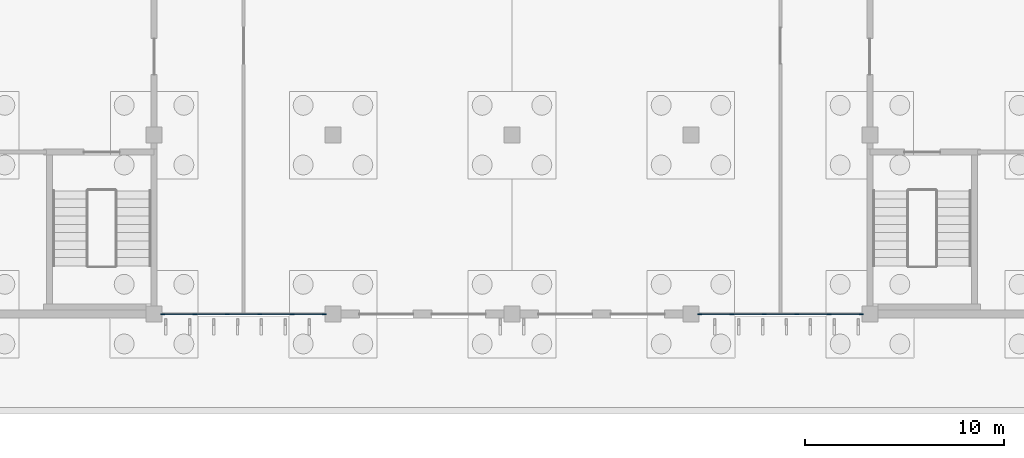
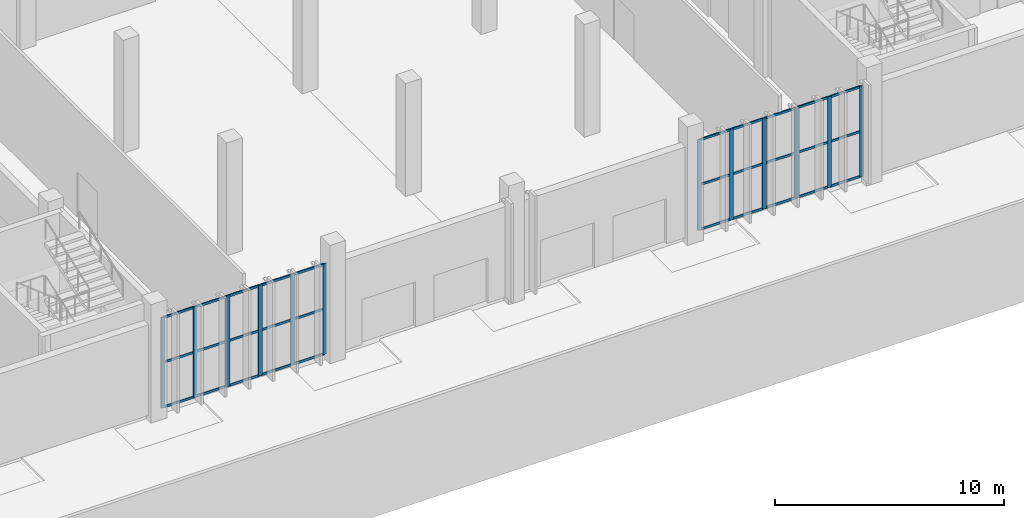
# One storey, part 35 of 198: 42 members, 2 elements without a shape of their own.
"""IFC4 building model written with IfcOpenShell, lengths in metres."""

from ifc_helpers import new_model, si_unit, direction, frame, origin, origin_2d, place, context, subcontext, project, spatial, rectangle, extrude, material, layer, layer_set, material_profile, profile_set, type_object, element, aggregate, save


model = new_model("IFC4")

# Units and contexts
model_context = context("Model", 3, precision=1e-05, world=origin(), true_north=direction((0.0, 1.0)))
body_context = subcontext(model_context, "Body", "Model", "MODEL_VIEW")
ifc_project = project(units=[si_unit("LENGTHUNIT", "METRE"), si_unit("AREAUNIT", "SQUARE_METRE"), si_unit("VOLUMEUNIT", "CUBIC_METRE"), si_unit("PLANEANGLEUNIT", "RADIAN"), si_unit("MASSUNIT", "GRAM", prefix="KILO")], contexts=[model_context])

# Site, building, storey
site_placement = place(None, origin())
site = spatial("IfcSite", under=ifc_project, at=site_placement, CompositionType="ELEMENT")
building_placement = place(site_placement, origin())
building = spatial("IfcBuilding", under=site, at=building_placement, Name="Opaline Strait Convention Centre", CompositionType="ELEMENT")
storey_placement = place(building_placement, origin())
storey = spatial("IfcBuildingStorey", under=building, at=storey_placement, Name="L00", CompositionType="ELEMENT", Elevation=0.0)

# Curtain wall, members
ifc_material_1 = material(Name="Aluminium framed double glazing", Category="aluminium")
ifc_layer = layer(ifc_material_1, 0.199951171875)
ifc_layer_set = layer_set([ifc_layer], Name="Aluminium framed double glazing")
curtain_wall_type = type_object("IfcCurtainWallType", Name="Curtain wall 1500 module", PredefinedType="NOTDEFINED", material=ifc_layer_set)
curtain_wall_1_placement = place(storey_placement, origin())
curtain_wall_1 = element("IfcCurtainWall", 1, at=curtain_wall_1_placement, inside=storey, type_object=curtain_wall_type, Name="L00 S facade glazing bay 3", PredefinedType="NOTDEFINED")
ifc_material_2 = material(Name="Aluminium alloy 6063", Category="aluminium")
ifc_material_profile_1 = material_profile(ifc_material_2, rectangle(XDim=0.06005859375, YDim=0.199951171875, at=origin_2d()), Name="Curtain wall mullion 60x200")
ifc_profile_set_1 = profile_set([ifc_material_profile_1], Name="Aluminium alloy 6063")
member_type_1 = type_object("IfcMemberType", Name="Curtain wall mullion 60x200", PredefinedType="MULLION", material=ifc_profile_set_1)
member_1_placement = place(storey_placement, frame((27.429931640625, 9.0, 0.0), z_axis=(0.0, 0.0, 1.0), x_axis=(0.0, 1.0, 0.0)))
member_1 = element("IfcMember", 2, at=member_1_placement, type_object=member_type_1, Name="RCW1 mullion 1", PredefinedType="MULLION", context=body_context, shape_type="SweptSolid", body=[
    extrude(rectangle(XDim=0.06005859375, YDim=0.199951171875, at=origin_2d()), origin(), (0.0, 0.0, 1.0), 4.820068359375),
])
member_2_placement = place(storey_placement, frame((29.0400390625, 9.0, 0.0), z_axis=(0.0, 0.0, 1.0), x_axis=(0.0, 1.0, 0.0)))
member_2 = element("IfcMember", 3, at=member_2_placement, type_object=member_type_1, Name="RCW1 mullion 2", PredefinedType="MULLION", context=body_context, shape_type="SweptSolid", body=[
    extrude(rectangle(XDim=0.06005859375, YDim=0.199951171875, at=origin_2d()), origin(), (0.0, 0.0, 1.0), 4.820068359375),
])
member_3_placement = place(storey_placement, frame((30.679931640625, 9.0, 0.0), z_axis=(0.0, 0.0, 1.0), x_axis=(0.0, 1.0, 0.0)))
member_3 = element("IfcMember", 4, at=member_3_placement, type_object=member_type_1, Name="RCW1 mullion 3", PredefinedType="MULLION", context=body_context, shape_type="SweptSolid", body=[
    extrude(rectangle(XDim=0.06005859375, YDim=0.199951171875, at=origin_2d()), origin(), (0.0, 0.0, 1.0), 4.820068359375),
])
member_4_placement = place(storey_placement, frame((32.320068359375, 9.0, 0.0), z_axis=(0.0, 0.0, 1.0), x_axis=(0.0, 1.0, 0.0)))
member_4 = element("IfcMember", 5, at=member_4_placement, type_object=member_type_1, Name="RCW1 mullion 4", PredefinedType="MULLION", context=body_context, shape_type="SweptSolid", body=[
    extrude(rectangle(XDim=0.06005859375, YDim=0.199951171875, at=origin_2d()), origin(), (0.0, 0.0, 1.0), 4.820068359375),
])
member_5_placement = place(storey_placement, frame((33.9599609375, 9.0, 0.0), z_axis=(0.0, 0.0, 1.0), x_axis=(0.0, 1.0, 0.0)))
member_5 = element("IfcMember", 6, at=member_5_placement, type_object=member_type_1, Name="RCW1 mullion 5", PredefinedType="MULLION", context=body_context, shape_type="SweptSolid", body=[
    extrude(rectangle(XDim=0.06005859375, YDim=0.199951171875, at=origin_2d()), origin(), (0.0, 0.0, 1.0), 4.820068359375),
])
member_6_placement = place(storey_placement, frame((35.570068359375, 9.0, 0.0), z_axis=(0.0, 0.0, 1.0), x_axis=(0.0, 1.0, 0.0)))
member_6 = element("IfcMember", 7, at=member_6_placement, type_object=member_type_1, Name="RCW1 mullion 6", PredefinedType="MULLION", context=body_context, shape_type="SweptSolid", body=[
    extrude(rectangle(XDim=0.06005859375, YDim=0.199951171875, at=origin_2d()), origin(), (0.0, 0.0, 1.0), 4.820068359375),
])

curtain_wall_2_placement = place(storey_placement, origin())
curtain_wall_2 = element("IfcCurtainWall", 8, at=curtain_wall_2_placement, inside=storey, type_object=curtain_wall_type, Name="L00 S facade glazing bay 6", PredefinedType="NOTDEFINED")
member_7_placement = place(storey_placement, frame((54.429931640625, 9.0, 0.0), z_axis=(0.0, 0.0, 1.0), x_axis=(0.0, 1.0, 0.0)))
member_7 = element("IfcMember", 9, at=member_7_placement, type_object=member_type_1, Name="RCW1 mullion 1", PredefinedType="MULLION", context=body_context, shape_type="SweptSolid", body=[
    extrude(rectangle(XDim=0.06005859375, YDim=0.199951171875, at=origin_2d()), origin(), (0.0, 0.0, 1.0), 4.820068359375),
])
member_8_placement = place(storey_placement, frame((56.0400390625, 9.0, 0.0), z_axis=(0.0, 0.0, 1.0), x_axis=(0.0, 1.0, 0.0)))
member_8 = element("IfcMember", 10, at=member_8_placement, type_object=member_type_1, Name="RCW1 mullion 2", PredefinedType="MULLION", context=body_context, shape_type="SweptSolid", body=[
    extrude(rectangle(XDim=0.06005859375, YDim=0.199951171875, at=origin_2d()), origin(), (0.0, 0.0, 1.0), 4.820068359375),
])
member_9_placement = place(storey_placement, frame((57.679931640625, 9.0, 0.0), z_axis=(0.0, 0.0, 1.0), x_axis=(0.0, 1.0, 0.0)))
member_9 = element("IfcMember", 11, at=member_9_placement, type_object=member_type_1, Name="RCW1 mullion 3", PredefinedType="MULLION", context=body_context, shape_type="SweptSolid", body=[
    extrude(rectangle(XDim=0.06005859375, YDim=0.199951171875, at=origin_2d()), origin(), (0.0, 0.0, 1.0), 4.820068359375),
])
member_10_placement = place(storey_placement, frame((59.320068359375, 9.0, 0.0), z_axis=(0.0, 0.0, 1.0), x_axis=(0.0, 1.0, 0.0)))
member_10 = element("IfcMember", 12, at=member_10_placement, type_object=member_type_1, Name="RCW1 mullion 4", PredefinedType="MULLION", context=body_context, shape_type="SweptSolid", body=[
    extrude(rectangle(XDim=0.06005859375, YDim=0.199951171875, at=origin_2d()), origin(), (0.0, 0.0, 1.0), 4.820068359375),
])
member_11_placement = place(storey_placement, frame((60.9599609375, 9.0, 0.0), z_axis=(0.0, 0.0, 1.0), x_axis=(0.0, 1.0, 0.0)))
member_11 = element("IfcMember", 13, at=member_11_placement, type_object=member_type_1, Name="RCW1 mullion 5", PredefinedType="MULLION", context=body_context, shape_type="SweptSolid", body=[
    extrude(rectangle(XDim=0.06005859375, YDim=0.199951171875, at=origin_2d()), origin(), (0.0, 0.0, 1.0), 4.820068359375),
])
member_12_placement = place(storey_placement, frame((62.570068359375, 9.0, 0.0), z_axis=(0.0, 0.0, 1.0), x_axis=(0.0, 1.0, 0.0)))
member_12 = element("IfcMember", 14, at=member_12_placement, type_object=member_type_1, Name="RCW1 mullion 6", PredefinedType="MULLION", context=body_context, shape_type="SweptSolid", body=[
    extrude(rectangle(XDim=0.06005859375, YDim=0.199951171875, at=origin_2d()), origin(), (0.0, 0.0, 1.0), 4.820068359375),
])

# Member
ifc_material_profile_2 = material_profile(ifc_material_2, rectangle(XDim=0.06005859375, YDim=0.1201171875, at=origin_2d()), Name="Curtain wall transom 60x120")
ifc_profile_set_2 = profile_set([ifc_material_profile_2], Name="Aluminium alloy 6063")
member_type_2 = type_object("IfcMemberType", Name="Curtain wall transom 60x120", PredefinedType="USERDEFINED", material=ifc_profile_set_2)
member_13_placement = place(storey_placement, frame((27.4599609375, 9.0, 0.030029296875), z_axis=(1.0, 0.0, 0.0), x_axis=(0.0, 1.0, 0.0)))
member_13 = element("IfcMember", 15, at=member_13_placement, type_object=member_type_2, Name="RCW1 transom 1.1", ObjectType="TRANSOM", PredefinedType="USERDEFINED", context=body_context, shape_type="SweptSolid", body=[
    extrude(rectangle(XDim=0.06005859375, YDim=0.1201171875, at=origin_2d()), origin(), (0.0, 0.0, 1.0), 1.550048828125),
])

member_14_placement = place(storey_placement, frame((27.4599609375, 9.0, 2.409912109375), z_axis=(1.0, 0.0, 0.0), x_axis=(0.0, 1.0, 0.0)))
member_14 = element("IfcMember", 16, at=member_14_placement, type_object=member_type_2, Name="RCW1 transom 1.2", ObjectType="TRANSOM", PredefinedType="USERDEFINED", context=body_context, shape_type="SweptSolid", body=[
    extrude(rectangle(XDim=0.06005859375, YDim=0.1201171875, at=origin_2d()), origin(), (0.0, 0.0, 1.0), 1.550048828125),
])

member_15_placement = place(storey_placement, frame((27.4599609375, 9.0, 4.7900390625), z_axis=(1.0, 0.0, 0.0), x_axis=(0.0, 1.0, 0.0)))
member_15 = element("IfcMember", 17, at=member_15_placement, type_object=member_type_2, Name="RCW1 transom 1.3", ObjectType="TRANSOM", PredefinedType="USERDEFINED", context=body_context, shape_type="SweptSolid", body=[
    extrude(rectangle(XDim=0.06005859375, YDim=0.1201171875, at=origin_2d()), origin(), (0.0, 0.0, 1.0), 1.550048828125),
])

member_16_placement = place(storey_placement, frame((29.06982421875, 9.0, 0.030029296875), z_axis=(1.0, 0.0, 0.0), x_axis=(0.0, 1.0, 0.0)))
member_16 = element("IfcMember", 18, at=member_16_placement, type_object=member_type_2, Name="RCW1 transom 2.1", ObjectType="TRANSOM", PredefinedType="USERDEFINED", context=body_context, shape_type="SweptSolid", body=[
    extrude(rectangle(XDim=0.06005859375, YDim=0.1201171875, at=origin_2d()), origin(), (0.0, 0.0, 1.0), 1.580078125),
])

member_17_placement = place(storey_placement, frame((29.06982421875, 9.0, 2.409912109375), z_axis=(1.0, 0.0, 0.0), x_axis=(0.0, 1.0, 0.0)))
member_17 = element("IfcMember", 19, at=member_17_placement, type_object=member_type_2, Name="RCW1 transom 2.2", ObjectType="TRANSOM", PredefinedType="USERDEFINED", context=body_context, shape_type="SweptSolid", body=[
    extrude(rectangle(XDim=0.06005859375, YDim=0.1201171875, at=origin_2d()), origin(), (0.0, 0.0, 1.0), 1.580078125),
])

member_18_placement = place(storey_placement, frame((29.06982421875, 9.0, 4.7900390625), z_axis=(1.0, 0.0, 0.0), x_axis=(0.0, 1.0, 0.0)))
member_18 = element("IfcMember", 20, at=member_18_placement, type_object=member_type_2, Name="RCW1 transom 2.3", ObjectType="TRANSOM", PredefinedType="USERDEFINED", context=body_context, shape_type="SweptSolid", body=[
    extrude(rectangle(XDim=0.06005859375, YDim=0.1201171875, at=origin_2d()), origin(), (0.0, 0.0, 1.0), 1.580078125),
])

member_19_placement = place(storey_placement, frame((30.7099609375, 9.0, 0.030029296875), z_axis=(1.0, 0.0, 0.0), x_axis=(0.0, 1.0, 0.0)))
member_19 = element("IfcMember", 21, at=member_19_placement, type_object=member_type_2, Name="RCW1 transom 3.1", ObjectType="TRANSOM", PredefinedType="USERDEFINED", context=body_context, shape_type="SweptSolid", body=[
    extrude(rectangle(XDim=0.06005859375, YDim=0.1201171875, at=origin_2d()), origin(), (0.0, 0.0, 1.0), 1.580078125),
])

member_20_placement = place(storey_placement, frame((30.7099609375, 9.0, 2.409912109375), z_axis=(1.0, 0.0, 0.0), x_axis=(0.0, 1.0, 0.0)))
member_20 = element("IfcMember", 22, at=member_20_placement, type_object=member_type_2, Name="RCW1 transom 3.2", ObjectType="TRANSOM", PredefinedType="USERDEFINED", context=body_context, shape_type="SweptSolid", body=[
    extrude(rectangle(XDim=0.06005859375, YDim=0.1201171875, at=origin_2d()), origin(), (0.0, 0.0, 1.0), 1.580078125),
])

member_21_placement = place(storey_placement, frame((30.7099609375, 9.0, 4.7900390625), z_axis=(1.0, 0.0, 0.0), x_axis=(0.0, 1.0, 0.0)))
member_21 = element("IfcMember", 23, at=member_21_placement, type_object=member_type_2, Name="RCW1 transom 3.3", ObjectType="TRANSOM", PredefinedType="USERDEFINED", context=body_context, shape_type="SweptSolid", body=[
    extrude(rectangle(XDim=0.06005859375, YDim=0.1201171875, at=origin_2d()), origin(), (0.0, 0.0, 1.0), 1.580078125),
])

member_22_placement = place(storey_placement, frame((32.35009765625, 9.0, 0.030029296875), z_axis=(1.0, 0.0, 0.0), x_axis=(0.0, 1.0, 0.0)))
member_22 = element("IfcMember", 24, at=member_22_placement, type_object=member_type_2, Name="RCW1 transom 4.1", ObjectType="TRANSOM", PredefinedType="USERDEFINED", context=body_context, shape_type="SweptSolid", body=[
    extrude(rectangle(XDim=0.06005859375, YDim=0.1201171875, at=origin_2d()), origin(), (0.0, 0.0, 1.0), 1.580078125),
])

member_23_placement = place(storey_placement, frame((32.35009765625, 9.0, 2.409912109375), z_axis=(1.0, 0.0, 0.0), x_axis=(0.0, 1.0, 0.0)))
member_23 = element("IfcMember", 25, at=member_23_placement, type_object=member_type_2, Name="RCW1 transom 4.2", ObjectType="TRANSOM", PredefinedType="USERDEFINED", context=body_context, shape_type="SweptSolid", body=[
    extrude(rectangle(XDim=0.06005859375, YDim=0.1201171875, at=origin_2d()), origin(), (0.0, 0.0, 1.0), 1.580078125),
])

member_24_placement = place(storey_placement, frame((32.35009765625, 9.0, 4.7900390625), z_axis=(1.0, 0.0, 0.0), x_axis=(0.0, 1.0, 0.0)))
member_24 = element("IfcMember", 26, at=member_24_placement, type_object=member_type_2, Name="RCW1 transom 4.3", ObjectType="TRANSOM", PredefinedType="USERDEFINED", context=body_context, shape_type="SweptSolid", body=[
    extrude(rectangle(XDim=0.06005859375, YDim=0.1201171875, at=origin_2d()), origin(), (0.0, 0.0, 1.0), 1.580078125),
])

member_25_placement = place(storey_placement, frame((33.989990234375, 9.0, 0.030029296875), z_axis=(1.0, 0.0, 0.0), x_axis=(0.0, 1.0, 0.0)))
member_25 = element("IfcMember", 27, at=member_25_placement, type_object=member_type_2, Name="RCW1 transom 5.1", ObjectType="TRANSOM", PredefinedType="USERDEFINED", context=body_context, shape_type="SweptSolid", body=[
    extrude(rectangle(XDim=0.06005859375, YDim=0.1201171875, at=origin_2d()), origin(), (0.0, 0.0, 1.0), 1.550048828125),
])

member_26_placement = place(storey_placement, frame((33.989990234375, 9.0, 2.409912109375), z_axis=(1.0, 0.0, 0.0), x_axis=(0.0, 1.0, 0.0)))
member_26 = element("IfcMember", 28, at=member_26_placement, type_object=member_type_2, Name="RCW1 transom 5.2", ObjectType="TRANSOM", PredefinedType="USERDEFINED", context=body_context, shape_type="SweptSolid", body=[
    extrude(rectangle(XDim=0.06005859375, YDim=0.1201171875, at=origin_2d()), origin(), (0.0, 0.0, 1.0), 1.550048828125),
])

member_27_placement = place(storey_placement, frame((33.989990234375, 9.0, 4.7900390625), z_axis=(1.0, 0.0, 0.0), x_axis=(0.0, 1.0, 0.0)))
member_27 = element("IfcMember", 29, at=member_27_placement, type_object=member_type_2, Name="RCW1 transom 5.3", ObjectType="TRANSOM", PredefinedType="USERDEFINED", context=body_context, shape_type="SweptSolid", body=[
    extrude(rectangle(XDim=0.06005859375, YDim=0.1201171875, at=origin_2d()), origin(), (0.0, 0.0, 1.0), 1.550048828125),
])

aggregate(curtain_wall_1, [member_1, member_2, member_3, member_4, member_5, member_6, member_13, member_14, member_15, member_16, member_17, member_18, member_19, member_20, member_21, member_22, member_23, member_24, member_25, member_26, member_27])

member_28_placement = place(storey_placement, frame((54.4599609375, 9.0, 0.030029296875), z_axis=(1.0, 0.0, 0.0), x_axis=(0.0, 1.0, 0.0)))
member_28 = element("IfcMember", 30, at=member_28_placement, type_object=member_type_2, Name="RCW1 transom 1.1", ObjectType="TRANSOM", PredefinedType="USERDEFINED", context=body_context, shape_type="SweptSolid", body=[
    extrude(rectangle(XDim=0.06005859375, YDim=0.1201171875, at=origin_2d()), origin(), (0.0, 0.0, 1.0), 1.550048828125),
])

member_29_placement = place(storey_placement, frame((54.4599609375, 9.0, 2.409912109375), z_axis=(1.0, 0.0, 0.0), x_axis=(0.0, 1.0, 0.0)))
member_29 = element("IfcMember", 31, at=member_29_placement, type_object=member_type_2, Name="RCW1 transom 1.2", ObjectType="TRANSOM", PredefinedType="USERDEFINED", context=body_context, shape_type="SweptSolid", body=[
    extrude(rectangle(XDim=0.06005859375, YDim=0.1201171875, at=origin_2d()), origin(), (0.0, 0.0, 1.0), 1.550048828125),
])

member_30_placement = place(storey_placement, frame((54.4599609375, 9.0, 4.7900390625), z_axis=(1.0, 0.0, 0.0), x_axis=(0.0, 1.0, 0.0)))
member_30 = element("IfcMember", 32, at=member_30_placement, type_object=member_type_2, Name="RCW1 transom 1.3", ObjectType="TRANSOM", PredefinedType="USERDEFINED", context=body_context, shape_type="SweptSolid", body=[
    extrude(rectangle(XDim=0.06005859375, YDim=0.1201171875, at=origin_2d()), origin(), (0.0, 0.0, 1.0), 1.550048828125),
])

member_31_placement = place(storey_placement, frame((56.06982421875, 9.0, 0.030029296875), z_axis=(1.0, 0.0, 0.0), x_axis=(0.0, 1.0, 0.0)))
member_31 = element("IfcMember", 33, at=member_31_placement, type_object=member_type_2, Name="RCW1 transom 2.1", ObjectType="TRANSOM", PredefinedType="USERDEFINED", context=body_context, shape_type="SweptSolid", body=[
    extrude(rectangle(XDim=0.06005859375, YDim=0.1201171875, at=origin_2d()), origin(), (0.0, 0.0, 1.0), 1.580078125),
])

member_32_placement = place(storey_placement, frame((56.06982421875, 9.0, 2.409912109375), z_axis=(1.0, 0.0, 0.0), x_axis=(0.0, 1.0, 0.0)))
member_32 = element("IfcMember", 34, at=member_32_placement, type_object=member_type_2, Name="RCW1 transom 2.2", ObjectType="TRANSOM", PredefinedType="USERDEFINED", context=body_context, shape_type="SweptSolid", body=[
    extrude(rectangle(XDim=0.06005859375, YDim=0.1201171875, at=origin_2d()), origin(), (0.0, 0.0, 1.0), 1.580078125),
])

member_33_placement = place(storey_placement, frame((56.06982421875, 9.0, 4.7900390625), z_axis=(1.0, 0.0, 0.0), x_axis=(0.0, 1.0, 0.0)))
member_33 = element("IfcMember", 35, at=member_33_placement, type_object=member_type_2, Name="RCW1 transom 2.3", ObjectType="TRANSOM", PredefinedType="USERDEFINED", context=body_context, shape_type="SweptSolid", body=[
    extrude(rectangle(XDim=0.06005859375, YDim=0.1201171875, at=origin_2d()), origin(), (0.0, 0.0, 1.0), 1.580078125),
])

member_34_placement = place(storey_placement, frame((57.7099609375, 9.0, 0.030029296875), z_axis=(1.0, 0.0, 0.0), x_axis=(0.0, 1.0, 0.0)))
member_34 = element("IfcMember", 36, at=member_34_placement, type_object=member_type_2, Name="RCW1 transom 3.1", ObjectType="TRANSOM", PredefinedType="USERDEFINED", context=body_context, shape_type="SweptSolid", body=[
    extrude(rectangle(XDim=0.06005859375, YDim=0.1201171875, at=origin_2d()), origin(), (0.0, 0.0, 1.0), 1.580078125),
])

member_35_placement = place(storey_placement, frame((57.7099609375, 9.0, 2.409912109375), z_axis=(1.0, 0.0, 0.0), x_axis=(0.0, 1.0, 0.0)))
member_35 = element("IfcMember", 37, at=member_35_placement, type_object=member_type_2, Name="RCW1 transom 3.2", ObjectType="TRANSOM", PredefinedType="USERDEFINED", context=body_context, shape_type="SweptSolid", body=[
    extrude(rectangle(XDim=0.06005859375, YDim=0.1201171875, at=origin_2d()), origin(), (0.0, 0.0, 1.0), 1.580078125),
])

member_36_placement = place(storey_placement, frame((57.7099609375, 9.0, 4.7900390625), z_axis=(1.0, 0.0, 0.0), x_axis=(0.0, 1.0, 0.0)))
member_36 = element("IfcMember", 38, at=member_36_placement, type_object=member_type_2, Name="RCW1 transom 3.3", ObjectType="TRANSOM", PredefinedType="USERDEFINED", context=body_context, shape_type="SweptSolid", body=[
    extrude(rectangle(XDim=0.06005859375, YDim=0.1201171875, at=origin_2d()), origin(), (0.0, 0.0, 1.0), 1.580078125),
])

member_37_placement = place(storey_placement, frame((59.35009765625, 9.0, 0.030029296875), z_axis=(1.0, 0.0, 0.0), x_axis=(0.0, 1.0, 0.0)))
member_37 = element("IfcMember", 39, at=member_37_placement, type_object=member_type_2, Name="RCW1 transom 4.1", ObjectType="TRANSOM", PredefinedType="USERDEFINED", context=body_context, shape_type="SweptSolid", body=[
    extrude(rectangle(XDim=0.06005859375, YDim=0.1201171875, at=origin_2d()), origin(), (0.0, 0.0, 1.0), 1.580078125),
])

member_38_placement = place(storey_placement, frame((59.35009765625, 9.0, 2.409912109375), z_axis=(1.0, 0.0, 0.0), x_axis=(0.0, 1.0, 0.0)))
member_38 = element("IfcMember", 40, at=member_38_placement, type_object=member_type_2, Name="RCW1 transom 4.2", ObjectType="TRANSOM", PredefinedType="USERDEFINED", context=body_context, shape_type="SweptSolid", body=[
    extrude(rectangle(XDim=0.06005859375, YDim=0.1201171875, at=origin_2d()), origin(), (0.0, 0.0, 1.0), 1.580078125),
])

member_39_placement = place(storey_placement, frame((59.35009765625, 9.0, 4.7900390625), z_axis=(1.0, 0.0, 0.0), x_axis=(0.0, 1.0, 0.0)))
member_39 = element("IfcMember", 41, at=member_39_placement, type_object=member_type_2, Name="RCW1 transom 4.3", ObjectType="TRANSOM", PredefinedType="USERDEFINED", context=body_context, shape_type="SweptSolid", body=[
    extrude(rectangle(XDim=0.06005859375, YDim=0.1201171875, at=origin_2d()), origin(), (0.0, 0.0, 1.0), 1.580078125),
])

member_40_placement = place(storey_placement, frame((60.989990234375, 9.0, 0.030029296875), z_axis=(1.0, 0.0, 0.0), x_axis=(0.0, 1.0, 0.0)))
member_40 = element("IfcMember", 42, at=member_40_placement, type_object=member_type_2, Name="RCW1 transom 5.1", ObjectType="TRANSOM", PredefinedType="USERDEFINED", context=body_context, shape_type="SweptSolid", body=[
    extrude(rectangle(XDim=0.06005859375, YDim=0.1201171875, at=origin_2d()), origin(), (0.0, 0.0, 1.0), 1.550048828125),
])

member_41_placement = place(storey_placement, frame((60.989990234375, 9.0, 2.409912109375), z_axis=(1.0, 0.0, 0.0), x_axis=(0.0, 1.0, 0.0)))
member_41 = element("IfcMember", 43, at=member_41_placement, type_object=member_type_2, Name="RCW1 transom 5.2", ObjectType="TRANSOM", PredefinedType="USERDEFINED", context=body_context, shape_type="SweptSolid", body=[
    extrude(rectangle(XDim=0.06005859375, YDim=0.1201171875, at=origin_2d()), origin(), (0.0, 0.0, 1.0), 1.550048828125),
])

member_42_placement = place(storey_placement, frame((60.989990234375, 9.0, 4.7900390625), z_axis=(1.0, 0.0, 0.0), x_axis=(0.0, 1.0, 0.0)))
member_42 = element("IfcMember", 44, at=member_42_placement, type_object=member_type_2, Name="RCW1 transom 5.3", ObjectType="TRANSOM", PredefinedType="USERDEFINED", context=body_context, shape_type="SweptSolid", body=[
    extrude(rectangle(XDim=0.06005859375, YDim=0.1201171875, at=origin_2d()), origin(), (0.0, 0.0, 1.0), 1.550048828125),
])

aggregate(curtain_wall_2, [member_7, member_8, member_9, member_10, member_11, member_12, member_28, member_29, member_30, member_31, member_32, member_33, member_34, member_35, member_36, member_37, member_38, member_39, member_40, member_41, member_42])

save(model, "model.ifc")
